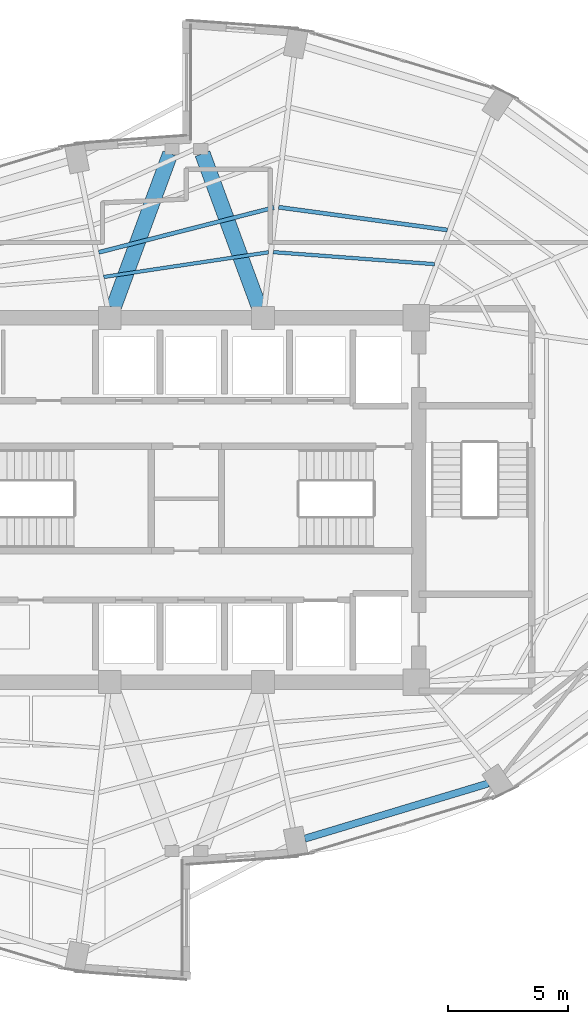
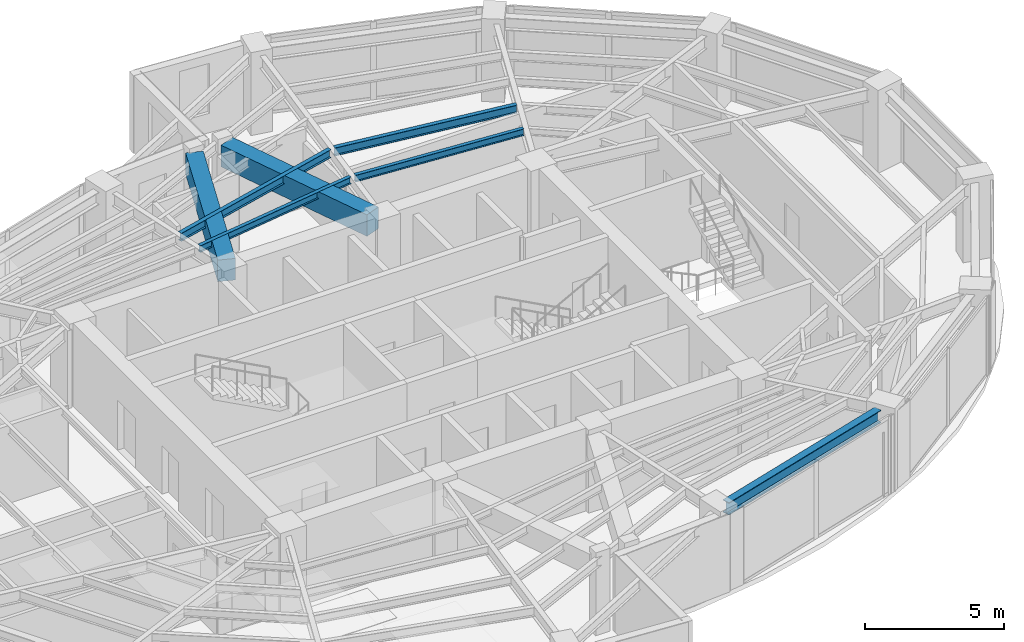
# One storey, part 8 of 20: 7 beams.
"""IFC4 building model written with IfcOpenShell, lengths in metres."""

from ifc_helpers import new_model, si_unit, direction, frame, origin, origin_2d, place, context, subcontext, project, spatial, rectangle, i_section, extrude, material, material_profile, profile_set, type_object, element, save


model = new_model("IFC4")

# Units and contexts
model_context = context("Model", 3, precision=1e-05, world=origin(), true_north=direction((0.0, 1.0)))
body_context = subcontext(model_context, "Body", "Model", "MODEL_VIEW")
ifc_project = project(units=[si_unit("LENGTHUNIT", "METRE"), si_unit("AREAUNIT", "SQUARE_METRE"), si_unit("VOLUMEUNIT", "CUBIC_METRE"), si_unit("PLANEANGLEUNIT", "RADIAN"), si_unit("MASSUNIT", "GRAM", prefix="KILO")], contexts=[model_context])

# Site, building, storey
site_placement = place(None, origin())
site = spatial("IfcSite", under=ifc_project, at=site_placement, CompositionType="ELEMENT")
building_placement = place(site_placement, origin())
building = spatial("IfcBuilding", under=site, at=building_placement, Name="Lazwardi Medical Tower", CompositionType="ELEMENT")
storey_placement = place(building_placement, frame((0.0, 0.0, 178.416015625)))
storey = spatial("IfcBuildingStorey", under=building, at=storey_placement, Name="L46", CompositionType="ELEMENT", Elevation=178.416015625)

# Beams
ifc_material_1 = material(Name="Concrete C60/75", Category="concrete")
ifc_material_profile_1 = material_profile(ifc_material_1, rectangle(XDim=0.64990234375, YDim=0.949951171875, at=origin_2d()), Name="RC 650x950")
ifc_profile_set_1 = profile_set([ifc_material_profile_1], Name="Concrete C60/75")
beam_type_1 = type_object("IfcBeamType", Name="BM-CB-RC2", PredefinedType="LINTEL", material=ifc_profile_set_1)
for number, where, z_axis, x_axis, name in (
    (1, (32.959228515625, 36.031494140625, 2.952880859375), (0.34601281054, 0.938229787921, 0.0), (-0.938229787921, 0.34601281054, 0.0), "Core coupling lintel CB-02 PL1 L46"),
    (2, (39.040771484375, 36.031494140625, 2.952880859375), (-0.34601281054, 0.938229787921, 0.0), (-0.938229787921, -0.34601281054, 0.0), "Core coupling lintel CB-02 PL2 L46"),
):
    element("IfcBeam", number, at=place(storey_placement, frame(where, z_axis=z_axis, x_axis=x_axis)), inside=storey, type_object=beam_type_1, Name=name, PredefinedType="LINTEL", context=body_context, shape_type="SweptSolid", body=[
        extrude(rectangle(XDim=0.64990234375, YDim=0.949951171875, at=origin_2d()), origin(), (0.0, 0.0, 1.0), 6.84423828125),
    ])
ifc_material_2 = material(Name="Steel S355", Category="steel")
ifc_material_profile_2 = material_profile(ifc_material_2, i_section(OverallWidth=0.300048828125, OverallDepth=0.550048828125, WebThickness=0.014892578125, FlangeThickness=0.029052734375, at=origin_2d()), Name="HEB 550")
ifc_profile_set_2 = profile_set([ifc_material_profile_2], Name="Steel S355")
beam_type_2 = type_object("IfcBeamType", Name="BM-RB-Z3", PredefinedType="BEAM", material=ifc_profile_set_2)
beam_1_placement = place(storey_placement, frame((40.943115234375, 13.866455078125, 3.153076171875), z_axis=(0.957616873483, 0.288045002771, 0.0), x_axis=(-0.288045002771, 0.957616873483, 0.0)))
element("IfcBeam", 3, at=beam_1_placement, inside=storey, type_object=beam_type_2, Name="Ring beam RB-04 B01 L46", PredefinedType="BEAM", context=body_context, shape_type="SweptSolid", body=[
    extrude(i_section(OverallWidth=0.300048828125, OverallDepth=0.550048828125, WebThickness=0.014892578125, FlangeThickness=0.029052734375, at=origin_2d()), origin(), (0.0, 0.0, 1.0), 7.99951171875),
])
ifc_material_profile_3 = material_profile(ifc_material_2, i_section(OverallWidth=0.169921875, OverallDepth=0.360107421875, WebThickness=0.008056640625, FlangeThickness=0.0126953125, at=origin_2d()), Name="IPE 360")
ifc_profile_set_3 = profile_set([ifc_material_profile_3], Name="Steel S355")
beam_type_3 = type_object("IfcBeamType", Name="BM-SJ-02", PredefinedType="JOIST", material=ifc_profile_set_3)
beam_2_placement = place(storey_placement, frame((46.889892578125, 39.269775390625, 3.248046875), z_axis=(-0.991056291961, 0.133444468468, 0.0), x_axis=(-0.133444468468, -0.991056291961, 0.0)))
element("IfcBeam", 4, at=beam_2_placement, inside=storey, type_object=beam_type_3, Name="Secondary joist SJ-02 R3 B07 L46", PredefinedType="JOIST", context=body_context, shape_type="SweptSolid", body=[
    extrude(i_section(OverallWidth=0.169921875, OverallDepth=0.360107421875, WebThickness=0.008056640625, FlangeThickness=0.0126953125, at=origin_2d()), origin(), (0.0, 0.0, 1.0), 7.10400390625),
])
beam_3_placement = place(storey_placement, frame((39.6533203125, 40.206298828125, 3.248046875), z_axis=(-0.96877632572, -0.247936344097, 0.0), x_axis=(0.247936344097, -0.96877632572, 0.0)))
element("IfcBeam", 5, at=beam_3_placement, inside=storey, type_object=beam_type_3, Name="Secondary joist SJ-02 R3 B08 L46", PredefinedType="JOIST", context=body_context, shape_type="SweptSolid", body=[
    extrude(i_section(OverallWidth=0.169921875, OverallDepth=0.360107421875, WebThickness=0.008056640625, FlangeThickness=0.0126953125, at=origin_2d()), origin(), (0.0, 0.0, 1.0), 7.546630859375),
])
ifc_material_profile_4 = material_profile(ifc_material_2, i_section(OverallWidth=0.14990234375, OverallDepth=0.300048828125, WebThickness=0.007080078125, FlangeThickness=0.0107421875, at=origin_2d()), Name="IPE 300")
ifc_profile_set_4 = profile_set([ifc_material_profile_4], Name="Steel S355")
beam_type_4 = type_object("IfcBeamType", Name="BM-SJ-03", PredefinedType="JOIST", material=ifc_profile_set_4)
beam_4_placement = place(storey_placement, frame((46.349609375, 37.843505859375, 3.278076171875), z_axis=(-0.99722699261, 0.074419924822, 0.0), x_axis=(-0.074419924822, -0.99722699261, 0.0)))
element("IfcBeam", 6, at=beam_4_placement, inside=storey, type_object=beam_type_4, Name="Secondary joist SJ-03 R4 B07 L46", PredefinedType="JOIST", context=body_context, shape_type="SweptSolid", body=[
    extrude(i_section(OverallWidth=0.14990234375, OverallDepth=0.300048828125, WebThickness=0.007080078125, FlangeThickness=0.0107421875, at=origin_2d()), origin(), (0.0, 0.0, 1.0), 6.74169921875),
])
beam_5_placement = place(storey_placement, frame((39.42822265625, 38.337890625, 3.278076171875), z_axis=(-0.98897469849, -0.148084589835, 0.0), x_axis=(0.148084589835, -0.98897469849, 0.0)))
element("IfcBeam", 7, at=beam_5_placement, inside=storey, type_object=beam_type_4, Name="Secondary joist SJ-03 R4 B08 L46", PredefinedType="JOIST", context=body_context, shape_type="SweptSolid", body=[
    extrude(i_section(OverallWidth=0.14990234375, OverallDepth=0.300048828125, WebThickness=0.007080078125, FlangeThickness=0.0107421875, at=origin_2d()), origin(), (0.0, 0.0, 1.0), 6.952392578125),
])

save(model, "model.ifc")
